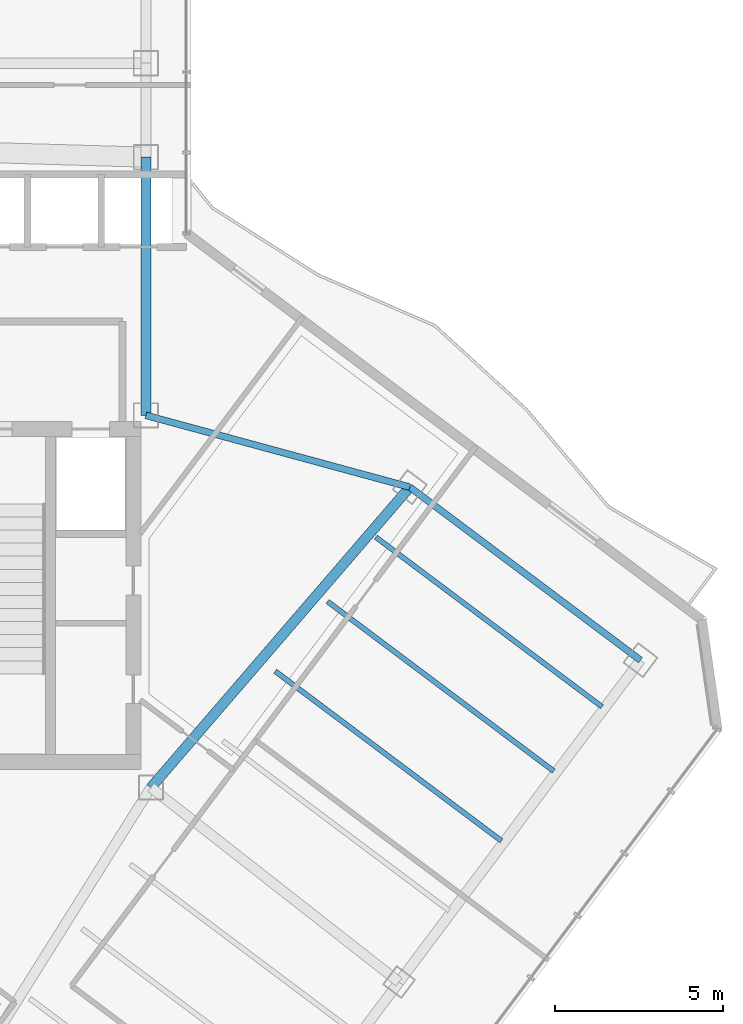
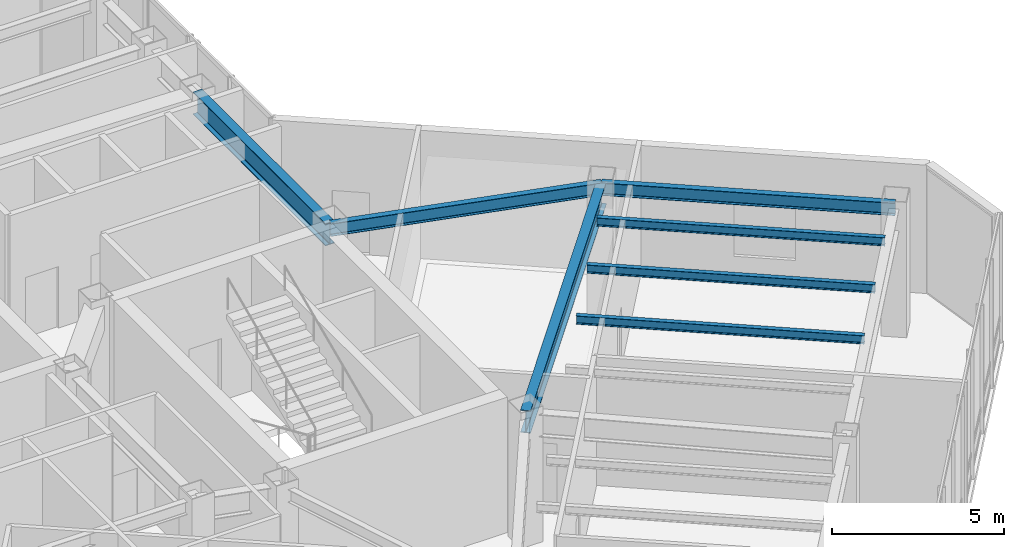
# One storey, part 10 of 21: 7 beams.
"""IFC4 building model written with IfcOpenShell, lengths in metres."""

from ifc_helpers import new_model, si_unit, direction, frame, origin, origin_2d, place, context, subcontext, project, spatial, i_section, extrude, material, material_profile, profile_set, type_object, element, save


model = new_model("IFC4")

# Units and contexts
model_context = context("Model", 3, precision=1e-05, world=origin(), true_north=direction((0.0, 1.0)))
body_context = subcontext(model_context, "Body", "Model", "MODEL_VIEW")
ifc_project = project(units=[si_unit("LENGTHUNIT", "METRE"), si_unit("AREAUNIT", "SQUARE_METRE"), si_unit("VOLUMEUNIT", "CUBIC_METRE"), si_unit("PLANEANGLEUNIT", "RADIAN"), si_unit("MASSUNIT", "GRAM", prefix="KILO")], contexts=[model_context])

# Site, building, storey
site_placement = place(None, origin())
site = spatial("IfcSite", under=ifc_project, at=site_placement, CompositionType="ELEMENT")
building_placement = place(site_placement, origin())
building = spatial("IfcBuilding", under=site, at=building_placement, Name="Hatsunagi Terrace Concourse", CompositionType="ELEMENT")
storey_placement = place(building_placement, frame((0.0, 0.0, 186.75)))
storey = spatial("IfcBuildingStorey", under=building, at=storey_placement, Name="L49", CompositionType="ELEMENT", Elevation=186.75)

# Beams
ifc_material_1 = material(Name="Steel SN490B", Category="steel")
ifc_material_profile_1 = material_profile(ifc_material_1, i_section(OverallWidth=0.14990234375, OverallDepth=0.300048828125, WebThickness=0.006591796875, FlangeThickness=0.009033203125, FilletRadius=0.010986328125, at=origin_2d()), Name="H-300x150x6.5x9")
ifc_profile_set_1 = profile_set([ifc_material_profile_1], Name="Steel SN490B")
beam_type_1 = type_object("IfcBeamType", Name="OfficeJoist_H_300x150", PredefinedType="JOIST", material=ifc_profile_set_1)
for number, where, z_axis, x_axis, name in (
    (1, (47.508056640625, 27.6689453125, 4.39990234375), (0.800003475366, -0.59999536615, 0.0), (0.59999536615, 0.800003475366, 0.0), "Beam J-03 J-L49-SE-2-168"),
    (2, (49.068115234375, 29.7490234375, 4.39990234375), (0.799989573921, -0.600013901187, 0.0), (0.600013901187, 0.799989573921, 0.0), "Beam J-03 J-L49-SE-2-194"),
    (3, (50.508056640625, 31.6689453125, 4.39990234375), (0.800003475366, -0.59999536615, 0.0), (0.59999536615, 0.800003475366, 0.0), "Beam J-03 J-L49-SE-2-218"),
):
    element("IfcBeam", number, at=place(storey_placement, frame(where, z_axis=z_axis, x_axis=x_axis)), inside=storey, type_object=beam_type_1, Name=name, PredefinedType="JOIST", context=body_context, shape_type="SweptSolid", body=[
        extrude(i_section(OverallWidth=0.14990234375, OverallDepth=0.300048828125, WebThickness=0.006591796875, FlangeThickness=0.009033203125, FilletRadius=0.010986328125, at=origin_2d()), origin(), (0.0, 0.0, 1.0), 8.429931640625),
    ])
ifc_material_2 = material(Name="Steel SN490B", Category="steel")
ifc_material_profile_2 = material_profile(ifc_material_2, i_section(OverallWidth=0.199951171875, OverallDepth=0.449951171875, WebThickness=0.009033203125, FlangeThickness=0.013916015625, FilletRadius=0.01611328125, at=origin_2d()), Name="H-450x200x9x14")
ifc_profile_set_2 = profile_set([ifc_material_profile_2], Name="Steel SN490B")
beam_type_2 = type_object("IfcBeamType", Name="PerimeterSpandrel_H_450x200", PredefinedType="SPANDREL", material=ifc_profile_set_2)
beam_1_placement = place(storey_placement, frame((43.64990234375, 35.300048828125, 4.324951171875), z_axis=(0.964958359286, -0.262403057994, 0.0), x_axis=(0.262403057994, 0.964958359286, 0.0)))
element("IfcBeam", 4, at=beam_1_placement, inside=storey, type_object=beam_type_2, Name="Beam SP-02 BM-L49-SE-NE0", PredefinedType="SPANDREL", context=body_context, shape_type="SweptSolid", body=[
    extrude(i_section(OverallWidth=0.199951171875, OverallDepth=0.449951171875, WebThickness=0.009033203125, FlangeThickness=0.013916015625, FilletRadius=0.01611328125, at=origin_2d()), origin(), (0.0, 0.0, 1.0), 8.156005859375),
])
beam_2_placement = place(storey_placement, frame((51.52001953125, 33.159912109375, 4.324951171875), z_axis=(0.8, -0.6, 0.0), x_axis=(0.6, 0.8, 0.0)))
element("IfcBeam", 5, at=beam_2_placement, inside=storey, type_object=beam_type_2, Name="Beam SP-02 BM-L49-SE-NE2", PredefinedType="SPANDREL", context=body_context, shape_type="SweptSolid", body=[
    extrude(i_section(OverallWidth=0.199951171875, OverallDepth=0.449951171875, WebThickness=0.009033203125, FlangeThickness=0.013916015625, FilletRadius=0.01611328125, at=origin_2d()), origin(), (0.0, 0.0, 1.0), 8.599853515625),
])
ifc_material_3 = material(Name="Steel SN490B", Category="steel")
ifc_material_profile_3 = material_profile(ifc_material_3, i_section(OverallWidth=0.300048828125, OverallDepth=0.800048828125, WebThickness=0.013916015625, FlangeThickness=0.02587890625, FilletRadius=0.02197265625, at=origin_2d()), Name="H-800x300x14x26")
ifc_profile_set_3 = profile_set([ifc_material_profile_3], Name="Steel SN490B")
beam_type_3 = type_object("IfcBeamType", Name="SkyLobbyGirder_H_800x300", PredefinedType="BEAM", material=ifc_profile_set_3)
beam_3_placement = place(storey_placement, frame((43.64990234375, 35.300048828125, 4.14990234375), z_axis=(0.0, 1.0, 0.0), x_axis=(-1.0, 0.0, 0.0)))
element("IfcBeam", 6, at=beam_3_placement, inside=storey, type_object=beam_type_3, Name="Beam G-03 BM-L49-CBK3", PredefinedType="BEAM", context=body_context, shape_type="SweptSolid", body=[
    extrude(i_section(OverallWidth=0.300048828125, OverallDepth=0.800048828125, WebThickness=0.013916015625, FlangeThickness=0.02587890625, FilletRadius=0.02197265625, at=origin_2d()), origin(), (0.0, 0.0, 1.0), 7.699951171875),
])
beam_4_placement = place(storey_placement, frame((43.800048828125, 24.199951171875, 4.14990234375), z_axis=(0.652739101421, 0.757582777969, 0.0), x_axis=(-0.757582777969, 0.652739101421, 0.0)))
element("IfcBeam", 7, at=beam_4_placement, inside=storey, type_object=beam_type_3, Name="Beam G-03 BM-L49-SET-1B", PredefinedType="BEAM", context=body_context, shape_type="SweptSolid", body=[
    extrude(i_section(OverallWidth=0.300048828125, OverallDepth=0.800048828125, WebThickness=0.013916015625, FlangeThickness=0.02587890625, FilletRadius=0.02197265625, at=origin_2d()), origin(), (0.0, 0.0, 1.0), 11.8271484375),
])

save(model, "model.ifc")
